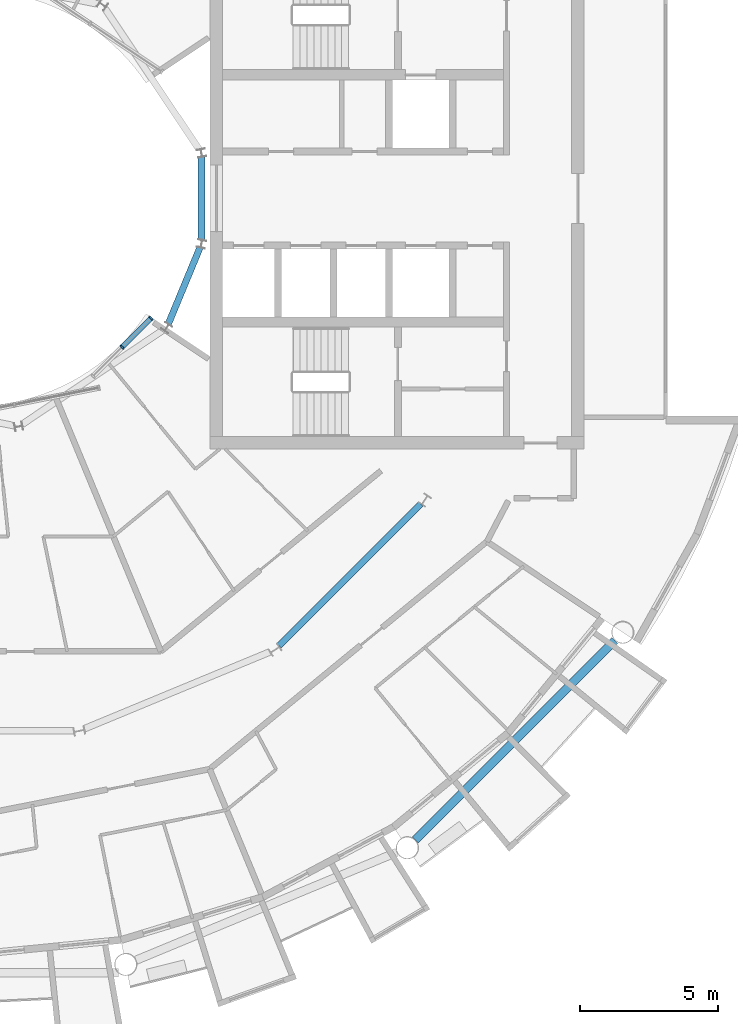
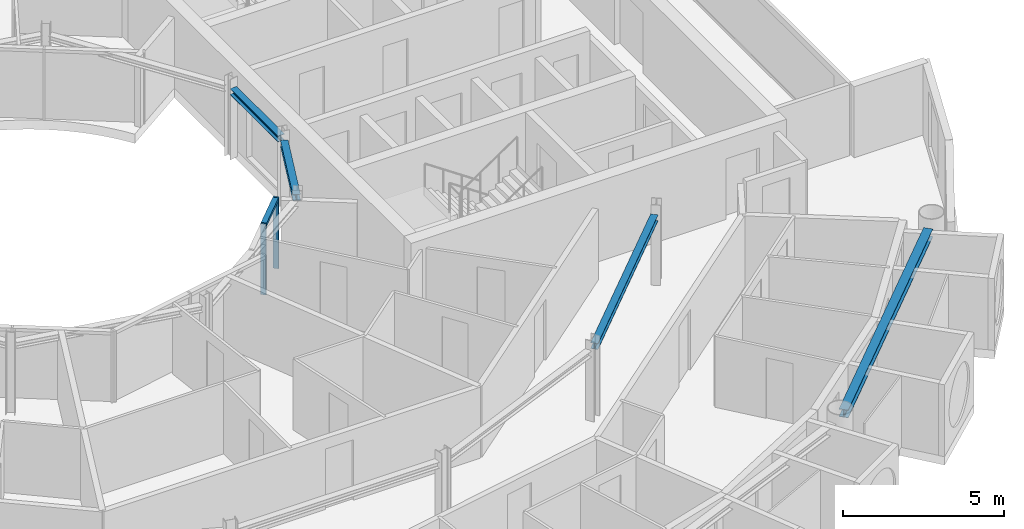
# One storey, part 8 of 28: 4 beams, 3 members, 1 element without a shape of its own.
"""IFC4 building model written with IfcOpenShell, lengths in metres."""

from ifc_helpers import new_model, si_unit, direction, frame, origin, origin_2d, place, context, subcontext, project, spatial, rectangle, i_section, extrude, material, layer, layer_set, material_profile, profile_set, type_object, element, aggregate, save


model = new_model("IFC4")

# Units and contexts
model_context = context("Model", 3, precision=1e-05, world=origin(), true_north=direction((0.0, 1.0)))
body_context = subcontext(model_context, "Body", "Model", "MODEL_VIEW")
ifc_project = project(units=[si_unit("LENGTHUNIT", "METRE"), si_unit("AREAUNIT", "SQUARE_METRE"), si_unit("VOLUMEUNIT", "CUBIC_METRE"), si_unit("PLANEANGLEUNIT", "RADIAN"), si_unit("MASSUNIT", "GRAM", prefix="KILO")], contexts=[model_context])

# Site, building, storey
site_placement = place(None, origin())
site = spatial("IfcSite", under=ifc_project, at=site_placement, CompositionType="ELEMENT")
building_placement = place(site_placement, origin())
building = spatial("IfcBuilding", under=site, at=building_placement, Name="Maasbend Ring Residences", CompositionType="ELEMENT")
storey_placement = place(building_placement, frame((0.0, 0.0, 196.300048828125)))
storey = spatial("IfcBuildingStorey", under=building, at=storey_placement, Name="L56", CompositionType="ELEMENT", Elevation=196.300048828125)

# Curtain wall, members
ifc_material_1 = material(Name="Aluminium and clear glass", Category="aluminium")
ifc_layer = layer(ifc_material_1, 0.179931640625)
ifc_layer_set = layer_set([ifc_layer], Name="CW-W")
curtain_wall_type = type_object("IfcCurtainWallType", Name="CW-W", PredefinedType="NOTDEFINED", material=ifc_layer_set)
curtain_wall_placement = place(storey_placement, origin())
curtain_wall = element("IfcCurtainWall", 1, at=curtain_wall_placement, inside=storey, type_object=curtain_wall_type, Name="Well curtain wall S3", PredefinedType="NOTDEFINED")
ifc_material_2 = material(Name="Aluminium 6063-T6", Category="aluminium")
ifc_material_profile_1 = material_profile(ifc_material_2, rectangle(XDim=0.179931640625, YDim=0.06005859375, at=origin_2d()), Name="AL 180x60")
ifc_profile_set_1 = profile_set([ifc_material_profile_1], Name="Aluminium 6063-T6")
member_type_1 = type_object("IfcMemberType", Name="CWM-W", PredefinedType="MULLION", material=ifc_profile_set_1)
member_1_placement = place(storey_placement, frame((5.366943359375, -5.366943359375, 0.0), z_axis=(0.0, 0.0, 1.0), x_axis=(-0.707106781187, 0.707106781187, 0.0)))
member_1 = element("IfcMember", 2, at=member_1_placement, type_object=member_type_1, Name="Mullion well face", PredefinedType="MULLION", context=body_context, shape_type="SweptSolid", body=[
    extrude(rectangle(XDim=0.179931640625, YDim=0.06005859375, at=origin_2d()), origin(), (0.0, 0.0, 1.0), 2.699951171875),
])
member_2_placement = place(storey_placement, frame((6.413330078125, -4.320556640625, 0.0), z_axis=(0.0, 0.0, 1.0), x_axis=(-0.707106781187, 0.707106781187, 0.0)))
member_2 = element("IfcMember", 3, at=member_2_placement, type_object=member_type_1, Name="Mullion well face", PredefinedType="MULLION", context=body_context, shape_type="SweptSolid", body=[
    extrude(rectangle(XDim=0.179931640625, YDim=0.06005859375, at=origin_2d()), origin(), (0.0, 0.0, 1.0), 2.699951171875),
])
ifc_material_3 = material(Name="Aluminium 6063-T6", Category="aluminium")
ifc_material_profile_2 = material_profile(ifc_material_3, rectangle(XDim=0.179931640625, YDim=0.1201171875, at=origin_2d()), Name="AL 180x120")
ifc_profile_set_2 = profile_set([ifc_material_profile_2], Name="Aluminium 6063-T6")
member_type_2 = type_object("IfcMemberType", Name="CWT-W", PredefinedType="USERDEFINED", material=ifc_profile_set_2)
member_3_placement = place(storey_placement, frame((5.38818359375, -5.345703125, 2.639892578125), z_axis=(0.707106781187, 0.707106781187, 0.0), x_axis=(-0.707106781187, 0.707106781187, 0.0)))
member_3 = element("IfcMember", 4, at=member_3_placement, type_object=member_type_2, Name="Transom well face", ObjectType="TRANSOM", PredefinedType="USERDEFINED", context=body_context, shape_type="SweptSolid", body=[
    extrude(rectangle(XDim=0.179931640625, YDim=0.1201171875, at=origin_2d()), origin(), (0.0, 0.0, 1.0), 1.419677734375),
])
aggregate(curtain_wall, [member_1, member_2, member_3])

# Beams
ifc_material_4 = material(Name="Steel S355J2", Category="steel")
ifc_material_profile_3 = material_profile(ifc_material_4, i_section(OverallWidth=0.239990234375, OverallDepth=0.22998046875, WebThickness=0.007568359375, FlangeThickness=0.011962890625, FilletRadius=0.02099609375, at=origin_2d()), Name="HEA 240")
ifc_profile_set_3 = profile_set([ifc_material_profile_3], Name="Steel S355J2")
beam_type_1 = type_object("IfcBeamType", Name="Corridor ring beam HEA 240", PredefinedType="BEAM", material=ifc_profile_set_3)
beam_1_placement = place(storey_placement, frame((11.033447265625, -16.152587890625, 2.5849609375), z_axis=(0.707106781187, 0.707106781187, 0.0), x_axis=(-0.707106781187, 0.707106781187, 0.0)))
element("IfcBeam", 5, at=beam_1_placement, inside=storey, type_object=beam_type_1, Name="Corridor ring beam", PredefinedType="BEAM", context=body_context, shape_type="SweptSolid", body=[
    extrude(i_section(OverallWidth=0.239990234375, OverallDepth=0.22998046875, WebThickness=0.007568359375, FlangeThickness=0.011962890625, FilletRadius=0.02099609375, at=origin_2d()), origin(), (0.0, 0.0, 1.0), 7.239501953125),
])
ifc_material_5 = material(Name="Steel S355J2", Category="steel")
ifc_material_profile_4 = material_profile(ifc_material_5, i_section(OverallWidth=0.300048828125, OverallDepth=0.300048828125, WebThickness=0.010986328125, FlangeThickness=0.01904296875, FilletRadius=0.027099609375, at=origin_2d()), Name="HEB 300")
ifc_profile_set_4 = profile_set([ifc_material_profile_4], Name="Steel S355J2")
beam_type_2 = type_object("IfcBeamType", Name="Spandrel ring beam HEB 300", PredefinedType="SPANDREL", material=ifc_profile_set_4)
beam_2_placement = place(storey_placement, frame((15.95458984375, -23.159912109375, 2.550048828125), z_axis=(0.707106781187, 0.707106781187, 0.0), x_axis=(-0.707106781187, 0.707106781187, 0.0)))
element("IfcBeam", 6, at=beam_2_placement, inside=storey, type_object=beam_type_2, Name="Spandrel ring beam", PredefinedType="SPANDREL", context=body_context, shape_type="SweptSolid", body=[
    extrude(i_section(OverallWidth=0.300048828125, OverallDepth=0.300048828125, WebThickness=0.010986328125, FlangeThickness=0.01904296875, FilletRadius=0.027099609375, at=origin_2d()), origin(), (0.0, 0.0, 1.0), 10.18994140625),
])
ifc_material_6 = material(Name="Steel S355J2", Category="steel")
ifc_material_profile_5 = material_profile(ifc_material_6, i_section(OverallWidth=0.239990234375, OverallDepth=0.22998046875, WebThickness=0.007568359375, FlangeThickness=0.011962890625, FilletRadius=0.02099609375, at=origin_2d()), Name="HEA 240")
ifc_profile_set_5 = profile_set([ifc_material_profile_5], Name="Steel S355J2")
beam_type_3 = type_object("IfcBeamType", Name="Well edge beam HEA 240", PredefinedType="BEAM", material=ifc_profile_set_5)
beam_3_placement = place(storey_placement, frame((7.041015625, -4.5302734375, 2.5849609375), z_axis=(0.382614534057, 0.923908068115, 0.0), x_axis=(-0.923908068115, 0.382614534057, 0.0)))
element("IfcBeam", 7, at=beam_3_placement, inside=storey, type_object=beam_type_3, Name="Well edge beam", PredefinedType="BEAM", context=body_context, shape_type="SweptSolid", body=[
    extrude(i_section(OverallWidth=0.239990234375, OverallDepth=0.22998046875, WebThickness=0.007568359375, FlangeThickness=0.011962890625, FilletRadius=0.02099609375, at=origin_2d()), origin(), (0.0, 0.0, 1.0), 2.981689453125),
])
beam_4_placement = place(storey_placement, frame((8.238525390625, -1.490966796875, 2.5849609375), z_axis=(0.0, 1.0, 0.0), x_axis=(-1.0, 0.0, 0.0)))
element("IfcBeam", 8, at=beam_4_placement, inside=storey, type_object=beam_type_3, Name="Well edge beam", PredefinedType="BEAM", context=body_context, shape_type="SweptSolid", body=[
    extrude(i_section(OverallWidth=0.239990234375, OverallDepth=0.22998046875, WebThickness=0.007568359375, FlangeThickness=0.011962890625, FilletRadius=0.02099609375, at=origin_2d()), origin(), (0.0, 0.0, 1.0), 2.98193359375),
])

save(model, "model.ifc")
